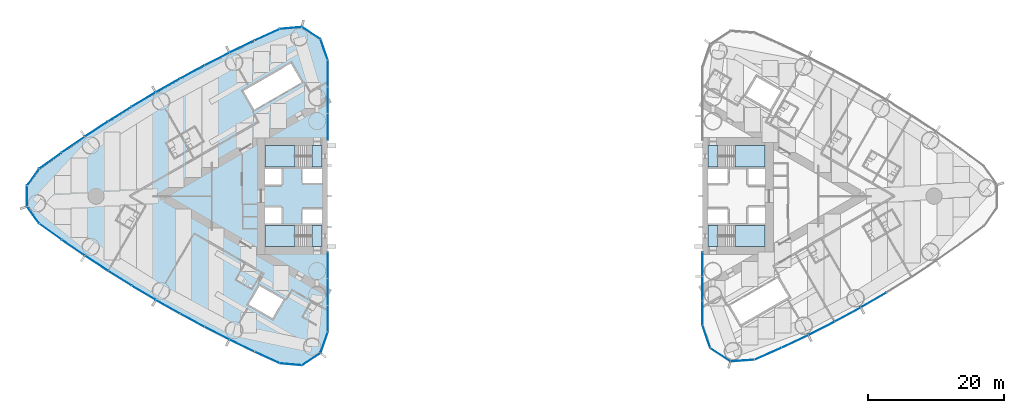
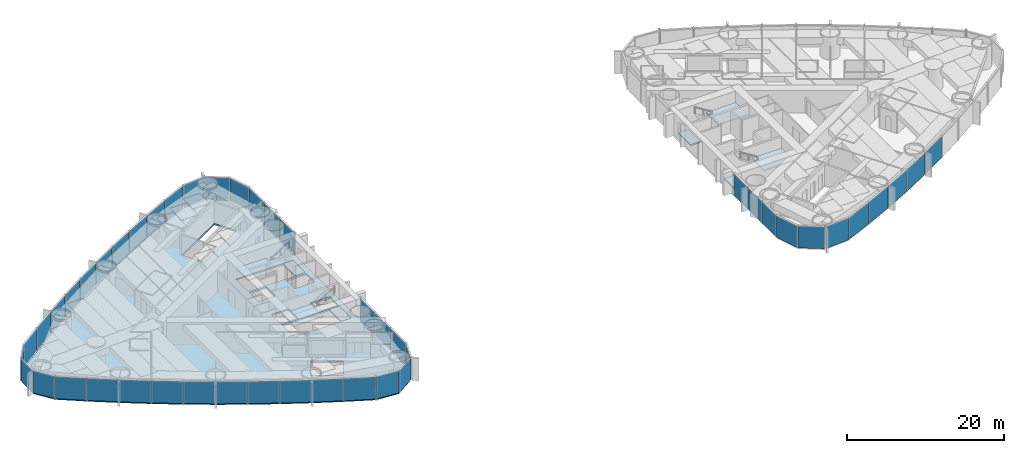
# One storey, part 9 of 18: 46 plates, 9 slabs, 6 elements without a shape of their own.
"""IFC4 building model written with IfcOpenShell, lengths in metres."""

from ifc_helpers import new_model, si_unit, direction, frame, origin, origin_2d, place, context, subcontext, project, spatial, polyline, rectangle, outline, extrude, material, layer, layer_set, type_object, element, aggregate, save


model = new_model("IFC4")

# Units and contexts
model_context = context("Model", 3, precision=1e-05, world=origin(), true_north=direction((0.0, 1.0)))
body_context = subcontext(model_context, "Body", "Model", "MODEL_VIEW")
ifc_project = project(units=[si_unit("LENGTHUNIT", "METRE"), si_unit("AREAUNIT", "SQUARE_METRE"), si_unit("VOLUMEUNIT", "CUBIC_METRE"), si_unit("PLANEANGLEUNIT", "RADIAN"), si_unit("MASSUNIT", "GRAM", prefix="KILO")], contexts=[model_context])

# Site, building, storey
site_placement = place(None, origin())
site = spatial("IfcSite", under=ifc_project, at=site_placement, CompositionType="ELEMENT")
building_placement = place(site_placement, origin())
building = spatial("IfcBuilding", under=site, at=building_placement, Name="Lancet Gate Hotel", CompositionType="ELEMENT")
storey_placement = place(building_placement, frame((0.0, 0.0, 118.60009765625)))
storey = spatial("IfcBuildingStorey", under=building, at=storey_placement, Name="L31", CompositionType="ELEMENT", Elevation=118.60009765625)

# Slab
ifc_material_1 = material(Name="Concrete C50/60", Category="concrete")
ifc_layer_1 = layer(ifc_material_1, 0.25)
ifc_layer_set_1 = layer_set([ifc_layer_1], Name="Floor slab 250")
slab_type_1 = type_object("IfcSlabType", Name="Floor slab 250", PredefinedType="FLOOR", material=ifc_layer_set_1)
slab_1_placement = place(storey_placement, frame((0.0, 0.0, -0.25)))
element("IfcSlab", 1, at=slab_1_placement, inside=storey, type_object=slab_type_1, Name="T1 L31 floor slab", PredefinedType="FLOOR", context=body_context, shape_type="SweptSolid", body=[
    extrude(outline(polyline([(-27.5, 8.60009765625), (-27.6201171875, 8.60009765625), (-27.6201171875, 19.950927734375), (-28.65966796875, 22.970947265625), (-31.320068359375, 24.69921875), (-34.5009765625, 24.421630859375), (-38.201416015625, 22.727783203125), (-41.8818359375, 20.946044921875), (-45.523193359375, 19.085693359375), (-49.12353515625, 17.147216796875), (-52.681396484375, 15.131591796875), (-56.195068359375, 13.0400390625), (-59.662841796875, 10.873291015625), (-63.0830078125, 8.63232421875), (-66.454345703125, 6.318115234375), (-69.76025390625, 3.94287109375), (-71.523193359375, 1.49755859375), (-71.523193359375, -1.49755859375), (-69.76025390625, -3.94287109375), (-66.454345703125, -6.318115234375), (-63.0830078125, -8.63232421875), (-59.662841796875, -10.873291015625), (-56.195068359375, -13.0400390625), (-52.681396484375, -15.131591796875), (-49.12353515625, -17.147216796875), (-45.523193359375, -19.085693359375), (-41.8818359375, -20.946044921875), (-38.201416015625, -22.727783203125), (-34.5009765625, -24.421630859375), (-31.320068359375, -24.69921875), (-28.65966796875, -22.970947265625), (-27.6201171875, -19.950927734375), (-27.6201171875, -8.60009765625), (-27.5, -8.60009765625), (-27.5, -8.199951171875), (-27.5, 8.199951171875), (-27.5, 8.60009765625)]), holes=[polyline([(-36.699951171875, 7.39990234375), (-36.699951171875, 4.300048828125), (-28.300048828125, 4.300048828125), (-28.300048828125, 7.39990234375), (-36.699951171875, 7.39990234375)]), polyline([(-28.300048828125, 4.0), (-31.199951171875, 4.0), (-31.199951171875, 1.89990234375), (-28.300048828125, 1.89990234375), (-28.300048828125, 4.0)]), polyline([(-34.25, 4.0), (-36.699951171875, 4.0), (-36.699951171875, 1.64990234375), (-34.25, 1.64990234375), (-34.25, 4.0)]), polyline([(-36.699951171875, -1.64990234375), (-36.699951171875, -4.0), (-34.25, -4.0), (-34.25, -1.64990234375), (-36.699951171875, -1.64990234375)]), polyline([(-28.300048828125, -1.89990234375), (-31.199951171875, -1.89990234375), (-31.199951171875, -4.0), (-28.300048828125, -4.0), (-28.300048828125, -1.89990234375)]), polyline([(-28.300048828125, -4.300048828125), (-36.699951171875, -4.300048828125), (-36.699951171875, -7.39990234375), (-28.300048828125, -7.39990234375), (-28.300048828125, -4.300048828125)]), polyline([(-31.2900390625, 16.73095703125), (-32.889892578125, 19.501953125), (-39.904052734375, 15.451904296875), (-38.303955078125, 12.680908203125), (-31.2900390625, 16.73095703125)]), polyline([(-33.97412109375, -15.180908203125), (-37.52490234375, -13.131103515625), (-39.125, -15.902099609375), (-35.573974609375, -17.951904296875), (-33.97412109375, -15.180908203125)])]), origin(), (0.0, 0.0, 1.0), 0.25),
])

# Stair, slabs
ifc_material_2 = material(Name="Exit stair 20 risers 1500")
stair_type = type_object("IfcStairType", Name="Exit stair 20 risers 1500", PredefinedType="HALF_TURN_STAIR", material=ifc_material_2)
stair_1_placement = place(storey_placement, origin())
stair_1 = element("IfcStair", 2, at=stair_1_placement, inside=storey, type_object=stair_type, Name="T1 stair 1 L31", PredefinedType="HALF_TURN_STAIR")
ifc_material_3 = material(Name="Concrete C40/50", Category="concrete")
ifc_layer_2 = layer(ifc_material_3, 0.199951171875)
ifc_layer_set_2 = layer_set([ifc_layer_2], Name="Stair landing 200")
slab_type_2 = type_object("IfcSlabType", Name="Stair landing 200", PredefinedType="LANDING", material=ifc_layer_set_2)
slab_2_placement = place(storey_placement, frame((0.0, 0.0, -0.2001953125)))
slab_2 = element("IfcSlab", 3, at=slab_2_placement, type_object=slab_type_2, Name="ST1 landing 1", PredefinedType="LANDING", context=body_context, shape_type="SweptSolid", body=[
    extrude(outline(polyline([(-28.300048828125, 7.39990234375), (-29.800048828125, 7.39990234375), (-29.800048828125, 4.300048828125), (-28.300048828125, 4.300048828125), (-28.300048828125, 7.39990234375)])), origin(), (0.0, 0.0, 1.0), 0.2001953125),
])
slab_3_placement = place(storey_placement, frame((0.0, 0.0, 1.5498046875)))
slab_3 = element("IfcSlab", 4, at=slab_3_placement, type_object=slab_type_2, Name="ST1 landing 2", PredefinedType="LANDING", context=body_context, shape_type="SweptSolid", body=[
    extrude(outline(polyline([(-32.320068359375, 7.39990234375), (-36.699951171875, 7.39990234375), (-36.699951171875, 4.300048828125), (-32.320068359375, 4.300048828125), (-32.320068359375, 7.39990234375)])), origin(), (0.0, 0.0, 1.0), 0.2001953125),
])
aggregate(stair_1, [slab_2, slab_3])

stair_2_placement = place(storey_placement, origin())
stair_2 = element("IfcStair", 5, at=stair_2_placement, inside=storey, type_object=stair_type, Name="T1 stair 2 L31", PredefinedType="HALF_TURN_STAIR")
slab_4_placement = place(storey_placement, frame((0.0, 0.0, -0.2001953125)))
slab_4 = element("IfcSlab", 6, at=slab_4_placement, type_object=slab_type_2, Name="ST2 landing 1", PredefinedType="LANDING", context=body_context, shape_type="SweptSolid", body=[
    extrude(outline(polyline([(-28.300048828125, -4.300048828125), (-29.800048828125, -4.300048828125), (-29.800048828125, -7.39990234375), (-28.300048828125, -7.39990234375), (-28.300048828125, -4.300048828125)])), origin(), (0.0, 0.0, 1.0), 0.2001953125),
])
slab_5_placement = place(storey_placement, frame((0.0, 0.0, 1.5498046875)))
slab_5 = element("IfcSlab", 7, at=slab_5_placement, type_object=slab_type_2, Name="ST2 landing 2", PredefinedType="LANDING", context=body_context, shape_type="SweptSolid", body=[
    extrude(outline(polyline([(-32.320068359375, -4.300048828125), (-36.699951171875, -4.300048828125), (-36.699951171875, -7.39990234375), (-32.320068359375, -7.39990234375), (-32.320068359375, -4.300048828125)])), origin(), (0.0, 0.0, 1.0), 0.2001953125),
])
aggregate(stair_2, [slab_4, slab_5])

stair_3_placement = place(storey_placement, origin())
stair_3 = element("IfcStair", 8, at=stair_3_placement, inside=storey, type_object=stair_type, Name="T2 stair 1 L31", PredefinedType="HALF_TURN_STAIR")
slab_6_placement = place(storey_placement, frame((0.0, 0.0, -0.2001953125)))
slab_6 = element("IfcSlab", 9, at=slab_6_placement, type_object=slab_type_2, Name="ST3 landing 1", PredefinedType="LANDING", context=body_context, shape_type="SweptSolid", body=[
    extrude(outline(polyline([(28.300048828125, -7.39990234375), (29.800048828125, -7.39990234375), (29.800048828125, -4.300048828125), (28.300048828125, -4.300048828125), (28.300048828125, -7.39990234375)])), origin(), (0.0, 0.0, 1.0), 0.2001953125),
])
slab_7_placement = place(storey_placement, frame((0.0, 0.0, 1.5498046875)))
slab_7 = element("IfcSlab", 10, at=slab_7_placement, type_object=slab_type_2, Name="ST3 landing 2", PredefinedType="LANDING", context=body_context, shape_type="SweptSolid", body=[
    extrude(outline(polyline([(32.320068359375, -7.39990234375), (36.699951171875, -7.39990234375), (36.699951171875, -4.300048828125), (32.320068359375, -4.300048828125), (32.320068359375, -7.39990234375)])), origin(), (0.0, 0.0, 1.0), 0.2001953125),
])
aggregate(stair_3, [slab_6, slab_7])

stair_4_placement = place(storey_placement, origin())
stair_4 = element("IfcStair", 11, at=stair_4_placement, inside=storey, type_object=stair_type, Name="T2 stair 2 L31", PredefinedType="HALF_TURN_STAIR")
slab_8_placement = place(storey_placement, frame((0.0, 0.0, -0.2001953125)))
slab_8 = element("IfcSlab", 12, at=slab_8_placement, type_object=slab_type_2, Name="ST4 landing 1", PredefinedType="LANDING", context=body_context, shape_type="SweptSolid", body=[
    extrude(outline(polyline([(28.300048828125, 4.300048828125), (29.800048828125, 4.300048828125), (29.800048828125, 7.39990234375), (28.300048828125, 7.39990234375), (28.300048828125, 4.300048828125)])), origin(), (0.0, 0.0, 1.0), 0.2001953125),
])
slab_9_placement = place(storey_placement, frame((0.0, 0.0, 1.5498046875)))
slab_9 = element("IfcSlab", 13, at=slab_9_placement, type_object=slab_type_2, Name="ST4 landing 2", PredefinedType="LANDING", context=body_context, shape_type="SweptSolid", body=[
    extrude(outline(polyline([(32.320068359375, 4.300048828125), (36.699951171875, 4.300048828125), (36.699951171875, 7.39990234375), (32.320068359375, 7.39990234375), (32.320068359375, 4.300048828125)])), origin(), (0.0, 0.0, 1.0), 0.2001953125),
])
aggregate(stair_4, [slab_8, slab_9])

# Curtain wall, plates
ifc_material_4 = material(Name="Aluminium curtain wall", Category="aluminium")
curtain_wall_type = type_object("IfcCurtainWallType", Name="Tower unitised curtain wall", PredefinedType="USERDEFINED", material=ifc_material_4)
curtain_wall_1_placement = place(storey_placement, origin())
curtain_wall_1 = element("IfcCurtainWall", 14, at=curtain_wall_1_placement, inside=storey, type_object=curtain_wall_type, Name="T1 L31 curtain wall 1", ObjectType="UNITISED CURTAIN WALL", PredefinedType="USERDEFINED")
ifc_material_5 = material(Name="Glass double glazed unit 8-16-6", Category="glass")
ifc_layer_3 = layer(ifc_material_5, 0.030029296875)
ifc_layer_set_3 = layer_set([ifc_layer_3], Name="Vision panel double glazed")
plate_type = type_object("IfcPlateType", Name="Vision panel double glazed", PredefinedType="CURTAIN_PANEL", material=ifc_layer_set_3)
plate_1_placement = place(storey_placement, frame((-27.5, 10.161865234375, -0.000244140625), z_axis=(0.0, 0.0, 1.0), x_axis=(0.0, 1.0, 0.0)))
plate_1 = element("IfcPlate", 15, at=plate_1_placement, type_object=plate_type, Name="T1 L31 curtain wall 1 panel 1", PredefinedType="CURTAIN_PANEL", context=body_context, shape_type="SweptSolid", body=[
    extrude(rectangle(XDim=3.858642578125, YDim=0.030029296875, at=origin_2d()), origin(), (0.0, 0.0, 1.0), 3.35009765625),
])
plate_2_placement = place(storey_placement, frame((-27.5, 14.08544921875, -0.000244140625), z_axis=(0.0, 0.0, 1.0), x_axis=(0.0, 1.0, 0.0)))
plate_2 = element("IfcPlate", 16, at=plate_2_placement, type_object=plate_type, Name="T1 L31 curtain wall 1 panel 2", PredefinedType="CURTAIN_PANEL", context=body_context, shape_type="SweptSolid", body=[
    extrude(rectangle(XDim=3.858642578125, YDim=0.030029296875, at=origin_2d()), origin(), (0.0, 0.0, 1.0), 3.35009765625),
])
plate_3_placement = place(storey_placement, frame((-27.5, 18.00927734375, -0.000244140625), z_axis=(0.0, 0.0, 1.0), x_axis=(0.0, 1.0, 0.0)))
plate_3 = element("IfcPlate", 17, at=plate_3_placement, type_object=plate_type, Name="T1 L31 curtain wall 1 panel 3", PredefinedType="CURTAIN_PANEL", context=body_context, shape_type="SweptSolid", body=[
    extrude(rectangle(XDim=3.858642578125, YDim=0.030029296875, at=origin_2d()), origin(), (0.0, 0.0, 1.0), 3.35009765625),
])
plate_4_placement = place(storey_placement, frame((-28.02978515625, 21.510009765625, -0.000244140625), z_axis=(0.0, 0.0, 1.0), x_axis=(-0.325515820766, 0.945536593914, 0.0)))
plate_4 = element("IfcPlate", 18, at=plate_4_placement, type_object=plate_type, Name="T1 L31 curtain wall 1 panel 4", PredefinedType="CURTAIN_PANEL", context=body_context, shape_type="SweptSolid", body=[
    extrude(rectangle(XDim=3.190185546875, YDim=0.030029296875, at=origin_2d()), origin(), (0.0, 0.0, 1.0), 3.35009765625),
])
plate_5_placement = place(storey_placement, frame((-29.924560546875, 23.935546875, -0.000244140625), z_axis=(0.0, 0.0, 1.0), x_axis=(-0.838580121261, 0.544778285385, 0.0)))
plate_5 = element("IfcPlate", 19, at=plate_5_placement, type_object=plate_type, Name="T1 L31 curtain wall 1 panel 5", PredefinedType="CURTAIN_PANEL", context=body_context, shape_type="SweptSolid", body=[
    extrude(rectangle(XDim=3.190185546875, YDim=0.030029296875, at=origin_2d()), origin(), (0.0, 0.0, 1.0), 3.35009765625),
])
plate_6_placement = place(storey_placement, frame((-32.91064453125, 24.680908203125, -0.000244140625), z_axis=(0.0, 0.0, 1.0), x_axis=(-0.996218779711, -0.086880049207, 0.0)))
plate_6 = element("IfcPlate", 20, at=plate_6_placement, type_object=plate_type, Name="T1 L31 curtain wall 1 panel 6", PredefinedType="CURTAIN_PANEL", context=body_context, shape_type="SweptSolid", body=[
    extrude(rectangle(XDim=3.190185546875, YDim=0.030029296875, at=origin_2d()), origin(), (0.0, 0.0, 1.0), 3.35009765625),
])
plate_7_placement = place(storey_placement, frame((-36.392333984375, 23.68798828125, -0.000244140625), z_axis=(0.0, 0.0, 1.0), x_axis=(-0.909252721243, -0.416244506166, 0.0)))
plate_7 = element("IfcPlate", 21, at=plate_7_placement, type_object=plate_type, Name="T1 L31 curtain wall 1 panel 7", PredefinedType="CURTAIN_PANEL", context=body_context, shape_type="SweptSolid", body=[
    extrude(rectangle(XDim=4.026611328125, YDim=0.030029296875, at=origin_2d()), origin(), (0.0, 0.0, 1.0), 3.35009765625),
])
plate_8_placement = place(storey_placement, frame((-40.093994140625, 21.945068359375, -0.000244140625), z_axis=(0.0, 0.0, 1.0), x_axis=(-0.900081672047, -0.435721222395, 0.0)))
plate_8 = element("IfcPlate", 22, at=plate_8_placement, type_object=plate_type, Name="T1 L31 curtain wall 1 panel 8", PredefinedType="CURTAIN_PANEL", context=body_context, shape_type="SweptSolid", body=[
    extrude(rectangle(XDim=4.026611328125, YDim=0.030029296875, at=origin_2d()), origin(), (0.0, 0.0, 1.0), 3.35009765625),
])
plate_9_placement = place(storey_placement, frame((-43.757080078125, 20.122802734375, -0.000244140625), z_axis=(0.0, 0.0, 1.0), x_axis=(-0.890493479451, -0.45499600334, 0.0)))
plate_9 = element("IfcPlate", 23, at=plate_9_placement, type_object=plate_type, Name="T1 L31 curtain wall 1 panel 9", PredefinedType="CURTAIN_PANEL", context=body_context, shape_type="SweptSolid", body=[
    extrude(rectangle(XDim=4.026611328125, YDim=0.030029296875, at=origin_2d()), origin(), (0.0, 0.0, 1.0), 3.35009765625),
])
plate_10_placement = place(storey_placement, frame((-47.380126953125, 18.221923828125, -0.000244140625), z_axis=(0.0, 0.0, 1.0), x_axis=(-0.880492587094, -0.474059916121, 0.0)))
plate_10 = element("IfcPlate", 24, at=plate_10_placement, type_object=plate_type, Name="T1 L31 curtain wall 1 panel 10", PredefinedType="CURTAIN_PANEL", context=body_context, shape_type="SweptSolid", body=[
    extrude(rectangle(XDim=4.026611328125, YDim=0.030029296875, at=origin_2d()), origin(), (0.0, 0.0, 1.0), 3.35009765625),
])
plate_11_placement = place(storey_placement, frame((-50.961669921875, 16.243896484375, -0.000244140625), z_axis=(0.0, 0.0, 1.0), x_axis=(-0.870083629903, -0.49290412554, 0.0)))
plate_11 = element("IfcPlate", 25, at=plate_11_placement, type_object=plate_type, Name="T1 L31 curtain wall 1 panel 11", PredefinedType="CURTAIN_PANEL", context=body_context, shape_type="SweptSolid", body=[
    extrude(rectangle(XDim=4.026611328125, YDim=0.030029296875, at=origin_2d()), origin(), (0.0, 0.0, 1.0), 3.35009765625),
])
plate_12_placement = place(storey_placement, frame((-54.49951171875, 14.18896484375, -0.000244140625), z_axis=(0.0, 0.0, 1.0), x_axis=(-0.859271431916, -0.511519898238, 0.0)))
plate_12 = element("IfcPlate", 26, at=plate_12_placement, type_object=plate_type, Name="T1 L31 curtain wall 1 panel 12", PredefinedType="CURTAIN_PANEL", context=body_context, shape_type="SweptSolid", body=[
    extrude(rectangle(XDim=4.026611328125, YDim=0.030029296875, at=origin_2d()), origin(), (0.0, 0.0, 1.0), 3.35009765625),
])
plate_13_placement = place(storey_placement, frame((-57.992431640625, 12.058349609375, -0.000244140625), z_axis=(0.0, 0.0, 1.0), x_axis=(-0.848061004052, -0.529898606722, 0.0)))
plate_13 = element("IfcPlate", 27, at=plate_13_placement, type_object=plate_type, Name="T1 L31 curtain wall 1 panel 13", PredefinedType="CURTAIN_PANEL", context=body_context, shape_type="SweptSolid", body=[
    extrude(rectangle(XDim=4.026611328125, YDim=0.030029296875, at=origin_2d()), origin(), (0.0, 0.0, 1.0), 3.35009765625),
])
plate_14_placement = place(storey_placement, frame((-61.438720703125, 9.85302734375, -0.000244140625), z_axis=(0.0, 0.0, 1.0), x_axis=(-0.836457541791, -0.54803173337, 0.0)))
plate_14 = element("IfcPlate", 28, at=plate_14_placement, type_object=plate_type, Name="T1 L31 curtain wall 1 panel 14", PredefinedType="CURTAIN_PANEL", context=body_context, shape_type="SweptSolid", body=[
    extrude(rectangle(XDim=4.026611328125, YDim=0.030029296875, at=origin_2d()), origin(), (0.0, 0.0, 1.0), 3.35009765625),
])
plate_15_placement = place(storey_placement, frame((-64.836669921875, 7.57421875, -0.000244140625), z_axis=(0.0, 0.0, 1.0), x_axis=(-0.824466422775, -0.565910874357, 0.0)))
plate_15 = element("IfcPlate", 29, at=plate_15_placement, type_object=plate_type, Name="T1 L31 curtain wall 1 panel 15", PredefinedType="CURTAIN_PANEL", context=body_context, shape_type="SweptSolid", body=[
    extrude(rectangle(XDim=4.026611328125, YDim=0.030029296875, at=origin_2d()), origin(), (0.0, 0.0, 1.0), 3.35009765625),
])
plate_16_placement = place(storey_placement, frame((-68.184814453125, 5.22265625, -0.000244140625), z_axis=(0.0, 0.0, 1.0), x_axis=(-0.812093204276, -0.583527743615, 0.0)))
plate_16 = element("IfcPlate", 30, at=plate_16_placement, type_object=plate_type, Name="T1 L31 curtain wall 1 panel 16", PredefinedType="CURTAIN_PANEL", context=body_context, shape_type="SweptSolid", body=[
    extrude(rectangle(XDim=4.026611328125, YDim=0.030029296875, at=origin_2d()), origin(), (0.0, 0.0, 1.0), 3.35009765625),
])
plate_17_placement = place(storey_placement, frame((-70.74462890625, 2.782470703125, -0.000244140625), z_axis=(0.0, 0.0, 1.0), x_axis=(-0.584808645706, -0.811171281486, 0.0)))
plate_17 = element("IfcPlate", 31, at=plate_17_placement, type_object=plate_type, Name="T1 L31 curtain wall 1 panel 17", PredefinedType="CURTAIN_PANEL", context=body_context, shape_type="SweptSolid", body=[
    extrude(rectangle(XDim=3.0078125, YDim=0.030029296875, at=origin_2d()), origin(), (0.0, 0.0, 1.0), 3.35009765625),
])
plate_18_placement = place(storey_placement, frame((-71.64306640625, 0.0, -0.000244140625), z_axis=(0.0, 0.0, 1.0), x_axis=(0.0, -1.0, 0.0)))
plate_18 = element("IfcPlate", 32, at=plate_18_placement, type_object=plate_type, Name="T1 L31 curtain wall 1 panel 18", PredefinedType="CURTAIN_PANEL", context=body_context, shape_type="SweptSolid", body=[
    extrude(rectangle(XDim=3.0078125, YDim=0.030029296875, at=origin_2d()), origin(), (0.0, 0.0, 1.0), 3.35009765625),
])
plate_19_placement = place(storey_placement, frame((-70.74462890625, -2.782470703125, -0.000244140625), z_axis=(0.0, 0.0, 1.0), x_axis=(0.584808645706, -0.811171281486, 0.0)))
plate_19 = element("IfcPlate", 33, at=plate_19_placement, type_object=plate_type, Name="T1 L31 curtain wall 1 panel 19", PredefinedType="CURTAIN_PANEL", context=body_context, shape_type="SweptSolid", body=[
    extrude(rectangle(XDim=3.0078125, YDim=0.030029296875, at=origin_2d()), origin(), (0.0, 0.0, 1.0), 3.35009765625),
])
plate_20_placement = place(storey_placement, frame((-68.184814453125, -5.22265625, -0.000244140625), z_axis=(0.0, 0.0, 1.0), x_axis=(0.812093204276, -0.583527743615, 0.0)))
plate_20 = element("IfcPlate", 34, at=plate_20_placement, type_object=plate_type, Name="T1 L31 curtain wall 1 panel 20", PredefinedType="CURTAIN_PANEL", context=body_context, shape_type="SweptSolid", body=[
    extrude(rectangle(XDim=4.026611328125, YDim=0.030029296875, at=origin_2d()), origin(), (0.0, 0.0, 1.0), 3.35009765625),
])
plate_21_placement = place(storey_placement, frame((-64.836669921875, -7.57421875, -0.000244140625), z_axis=(0.0, 0.0, 1.0), x_axis=(0.824466422775, -0.565910874357, 0.0)))
plate_21 = element("IfcPlate", 35, at=plate_21_placement, type_object=plate_type, Name="T1 L31 curtain wall 1 panel 21", PredefinedType="CURTAIN_PANEL", context=body_context, shape_type="SweptSolid", body=[
    extrude(rectangle(XDim=4.026611328125, YDim=0.030029296875, at=origin_2d()), origin(), (0.0, 0.0, 1.0), 3.35009765625),
])
plate_22_placement = place(storey_placement, frame((-61.438720703125, -9.85302734375, -0.000244140625), z_axis=(0.0, 0.0, 1.0), x_axis=(0.836457541791, -0.54803173337, 0.0)))
plate_22 = element("IfcPlate", 36, at=plate_22_placement, type_object=plate_type, Name="T1 L31 curtain wall 1 panel 22", PredefinedType="CURTAIN_PANEL", context=body_context, shape_type="SweptSolid", body=[
    extrude(rectangle(XDim=4.026611328125, YDim=0.030029296875, at=origin_2d()), origin(), (0.0, 0.0, 1.0), 3.35009765625),
])
plate_23_placement = place(storey_placement, frame((-57.992431640625, -12.058349609375, -0.000244140625), z_axis=(0.0, 0.0, 1.0), x_axis=(0.848061004052, -0.529898606722, 0.0)))
plate_23 = element("IfcPlate", 37, at=plate_23_placement, type_object=plate_type, Name="T1 L31 curtain wall 1 panel 23", PredefinedType="CURTAIN_PANEL", context=body_context, shape_type="SweptSolid", body=[
    extrude(rectangle(XDim=4.026611328125, YDim=0.030029296875, at=origin_2d()), origin(), (0.0, 0.0, 1.0), 3.35009765625),
])
plate_24_placement = place(storey_placement, frame((-54.49951171875, -14.18896484375, -0.000244140625), z_axis=(0.0, 0.0, 1.0), x_axis=(0.859271431916, -0.511519898238, 0.0)))
plate_24 = element("IfcPlate", 38, at=plate_24_placement, type_object=plate_type, Name="T1 L31 curtain wall 1 panel 24", PredefinedType="CURTAIN_PANEL", context=body_context, shape_type="SweptSolid", body=[
    extrude(rectangle(XDim=4.026611328125, YDim=0.030029296875, at=origin_2d()), origin(), (0.0, 0.0, 1.0), 3.35009765625),
])
plate_25_placement = place(storey_placement, frame((-50.961669921875, -16.243896484375, -0.000244140625), z_axis=(0.0, 0.0, 1.0), x_axis=(0.870083629903, -0.49290412554, 0.0)))
plate_25 = element("IfcPlate", 39, at=plate_25_placement, type_object=plate_type, Name="T1 L31 curtain wall 1 panel 25", PredefinedType="CURTAIN_PANEL", context=body_context, shape_type="SweptSolid", body=[
    extrude(rectangle(XDim=4.026611328125, YDim=0.030029296875, at=origin_2d()), origin(), (0.0, 0.0, 1.0), 3.35009765625),
])
plate_26_placement = place(storey_placement, frame((-47.380126953125, -18.221923828125, -0.000244140625), z_axis=(0.0, 0.0, 1.0), x_axis=(0.880492587094, -0.474059916121, 0.0)))
plate_26 = element("IfcPlate", 40, at=plate_26_placement, type_object=plate_type, Name="T1 L31 curtain wall 1 panel 26", PredefinedType="CURTAIN_PANEL", context=body_context, shape_type="SweptSolid", body=[
    extrude(rectangle(XDim=4.026611328125, YDim=0.030029296875, at=origin_2d()), origin(), (0.0, 0.0, 1.0), 3.35009765625),
])
plate_27_placement = place(storey_placement, frame((-43.757080078125, -20.122802734375, -0.000244140625), z_axis=(0.0, 0.0, 1.0), x_axis=(0.890493479451, -0.45499600334, 0.0)))
plate_27 = element("IfcPlate", 41, at=plate_27_placement, type_object=plate_type, Name="T1 L31 curtain wall 1 panel 27", PredefinedType="CURTAIN_PANEL", context=body_context, shape_type="SweptSolid", body=[
    extrude(rectangle(XDim=4.026611328125, YDim=0.030029296875, at=origin_2d()), origin(), (0.0, 0.0, 1.0), 3.35009765625),
])
plate_28_placement = place(storey_placement, frame((-40.093994140625, -21.945068359375, -0.000244140625), z_axis=(0.0, 0.0, 1.0), x_axis=(0.900081672047, -0.435721222395, 0.0)))
plate_28 = element("IfcPlate", 42, at=plate_28_placement, type_object=plate_type, Name="T1 L31 curtain wall 1 panel 28", PredefinedType="CURTAIN_PANEL", context=body_context, shape_type="SweptSolid", body=[
    extrude(rectangle(XDim=4.026611328125, YDim=0.030029296875, at=origin_2d()), origin(), (0.0, 0.0, 1.0), 3.35009765625),
])
plate_29_placement = place(storey_placement, frame((-36.392333984375, -23.68798828125, -0.000244140625), z_axis=(0.0, 0.0, 1.0), x_axis=(0.909252721243, -0.416244506166, 0.0)))
plate_29 = element("IfcPlate", 43, at=plate_29_placement, type_object=plate_type, Name="T1 L31 curtain wall 1 panel 29", PredefinedType="CURTAIN_PANEL", context=body_context, shape_type="SweptSolid", body=[
    extrude(rectangle(XDim=4.026611328125, YDim=0.030029296875, at=origin_2d()), origin(), (0.0, 0.0, 1.0), 3.35009765625),
])
plate_30_placement = place(storey_placement, frame((-32.91064453125, -24.680908203125, -0.000244140625), z_axis=(0.0, 0.0, 1.0), x_axis=(0.996218779711, -0.086880049207, 0.0)))
plate_30 = element("IfcPlate", 44, at=plate_30_placement, type_object=plate_type, Name="T1 L31 curtain wall 1 panel 30", PredefinedType="CURTAIN_PANEL", context=body_context, shape_type="SweptSolid", body=[
    extrude(rectangle(XDim=3.190185546875, YDim=0.030029296875, at=origin_2d()), origin(), (0.0, 0.0, 1.0), 3.35009765625),
])
plate_31_placement = place(storey_placement, frame((-29.924560546875, -23.935546875, -0.000244140625), z_axis=(0.0, 0.0, 1.0), x_axis=(0.838580121261, 0.544778285385, 0.0)))
plate_31 = element("IfcPlate", 45, at=plate_31_placement, type_object=plate_type, Name="T1 L31 curtain wall 1 panel 31", PredefinedType="CURTAIN_PANEL", context=body_context, shape_type="SweptSolid", body=[
    extrude(rectangle(XDim=3.190185546875, YDim=0.030029296875, at=origin_2d()), origin(), (0.0, 0.0, 1.0), 3.35009765625),
])
plate_32_placement = place(storey_placement, frame((-28.02978515625, -21.510009765625, -0.000244140625), z_axis=(0.0, 0.0, 1.0), x_axis=(0.325515820766, 0.945536593914, 0.0)))
plate_32 = element("IfcPlate", 46, at=plate_32_placement, type_object=plate_type, Name="T1 L31 curtain wall 1 panel 32", PredefinedType="CURTAIN_PANEL", context=body_context, shape_type="SweptSolid", body=[
    extrude(rectangle(XDim=3.190185546875, YDim=0.030029296875, at=origin_2d()), origin(), (0.0, 0.0, 1.0), 3.35009765625),
])
plate_33_placement = place(storey_placement, frame((-27.5, -18.00927734375, -0.000244140625), z_axis=(0.0, 0.0, 1.0), x_axis=(0.0, 1.0, 0.0)))
plate_33 = element("IfcPlate", 47, at=plate_33_placement, type_object=plate_type, Name="T1 L31 curtain wall 1 panel 33", PredefinedType="CURTAIN_PANEL", context=body_context, shape_type="SweptSolid", body=[
    extrude(rectangle(XDim=3.858642578125, YDim=0.030029296875, at=origin_2d()), origin(), (0.0, 0.0, 1.0), 3.35009765625),
])
plate_34_placement = place(storey_placement, frame((-27.5, -14.08544921875, -0.000244140625), z_axis=(0.0, 0.0, 1.0), x_axis=(0.0, 1.0, 0.0)))
plate_34 = element("IfcPlate", 48, at=plate_34_placement, type_object=plate_type, Name="T1 L31 curtain wall 1 panel 34", PredefinedType="CURTAIN_PANEL", context=body_context, shape_type="SweptSolid", body=[
    extrude(rectangle(XDim=3.858642578125, YDim=0.030029296875, at=origin_2d()), origin(), (0.0, 0.0, 1.0), 3.35009765625),
])
plate_35_placement = place(storey_placement, frame((-27.5, -10.161865234375, -0.000244140625), z_axis=(0.0, 0.0, 1.0), x_axis=(0.0, 1.0, 0.0)))
plate_35 = element("IfcPlate", 49, at=plate_35_placement, type_object=plate_type, Name="T1 L31 curtain wall 1 panel 35", PredefinedType="CURTAIN_PANEL", context=body_context, shape_type="SweptSolid", body=[
    extrude(rectangle(XDim=3.858642578125, YDim=0.030029296875, at=origin_2d()), origin(), (0.0, 0.0, 1.0), 3.35009765625),
])
aggregate(curtain_wall_1, [plate_1, plate_2, plate_3, plate_4, plate_5, plate_6, plate_7, plate_8, plate_9, plate_10, plate_11, plate_12, plate_13, plate_14, plate_15, plate_16, plate_17, plate_18, plate_19, plate_20, plate_21, plate_22, plate_23, plate_24, plate_25, plate_26, plate_27, plate_28, plate_29, plate_30, plate_31, plate_32, plate_33, plate_34, plate_35])

curtain_wall_2_placement = place(storey_placement, origin())
curtain_wall_2 = element("IfcCurtainWall", 50, at=curtain_wall_2_placement, inside=storey, type_object=curtain_wall_type, Name="T2 L31 curtain wall 1", ObjectType="UNITISED CURTAIN WALL", PredefinedType="USERDEFINED")
plate_36_placement = place(storey_placement, frame((27.5, -9.990478515625, -0.000244140625), z_axis=(0.0, 0.0, 1.0), x_axis=(0.0, -1.0, 0.0)))
plate_36 = element("IfcPlate", 51, at=plate_36_placement, type_object=plate_type, Name="T2 L31 curtain wall 1 panel 1", PredefinedType="CURTAIN_PANEL", context=body_context, shape_type="SweptSolid", body=[
    extrude(rectangle(XDim=3.515869140625, YDim=0.030029296875, at=origin_2d()), origin(), (0.0, 0.0, 1.0), 3.35009765625),
])
plate_37_placement = place(storey_placement, frame((27.5, -13.571533203125, -0.000244140625), z_axis=(0.0, 0.0, 1.0), x_axis=(0.0, -1.0, 0.0)))
plate_37 = element("IfcPlate", 52, at=plate_37_placement, type_object=plate_type, Name="T2 L31 curtain wall 1 panel 2", PredefinedType="CURTAIN_PANEL", context=body_context, shape_type="SweptSolid", body=[
    extrude(rectangle(XDim=3.515869140625, YDim=0.030029296875, at=origin_2d()), origin(), (0.0, 0.0, 1.0), 3.35009765625),
])
plate_38_placement = place(storey_placement, frame((27.5, -17.15234375, -0.000244140625), z_axis=(0.0, 0.0, 1.0), x_axis=(0.0, -1.0, 0.0)))
plate_38 = element("IfcPlate", 53, at=plate_38_placement, type_object=plate_type, Name="T2 L31 curtain wall 1 panel 3", PredefinedType="CURTAIN_PANEL", context=body_context, shape_type="SweptSolid", body=[
    extrude(rectangle(XDim=3.515869140625, YDim=0.030029296875, at=origin_2d()), origin(), (0.0, 0.0, 1.0), 3.35009765625),
])
plate_39_placement = place(storey_placement, frame((28.072265625, -20.622314453125, -0.000244140625), z_axis=(0.0, 0.0, 1.0), x_axis=(0.32257568891, -0.946543673015, 0.0)))
plate_39 = element("IfcPlate", 54, at=plate_39_placement, type_object=plate_type, Name="T2 L31 curtain wall 1 panel 4", PredefinedType="CURTAIN_PANEL", context=body_context, shape_type="SweptSolid", body=[
    extrude(rectangle(XDim=3.4833984375, YDim=0.030029296875, at=origin_2d()), origin(), (0.0, 0.0, 1.0), 3.35009765625),
])
plate_40_placement = place(storey_placement, frame((30.123291015625, -23.281982421875, -0.000244140625), z_axis=(0.0, 0.0, 1.0), x_axis=(0.833464516611, -0.552572981198, 0.0)))
plate_40 = element("IfcPlate", 55, at=plate_40_placement, type_object=plate_type, Name="T2 L31 curtain wall 1 panel 5", PredefinedType="CURTAIN_PANEL", context=body_context, shape_type="SweptSolid", body=[
    extrude(rectangle(XDim=3.4833984375, YDim=0.030029296875, at=origin_2d()), origin(), (0.0, 0.0, 1.0), 3.35009765625),
])
plate_41_placement = place(storey_placement, frame((33.37158203125, -24.1357421875, -0.000244140625), z_axis=(0.0, 0.0, 1.0), x_axis=(0.997448492935, 0.07138980278, 0.0)))
plate_41 = element("IfcPlate", 56, at=plate_41_placement, type_object=plate_type, Name="T2 L31 curtain wall 1 panel 6", PredefinedType="CURTAIN_PANEL", context=body_context, shape_type="SweptSolid", body=[
    extrude(rectangle(XDim=3.4833984375, YDim=0.030029296875, at=origin_2d()), origin(), (0.0, 0.0, 1.0), 3.35009765625),
])
plate_42_placement = place(storey_placement, frame((37.13134765625, -23.13427734375, -0.000244140625), z_axis=(0.0, 0.0, 1.0), x_axis=(0.915478658759, 0.40236653111, 0.0)))
plate_42 = element("IfcPlate", 57, at=plate_42_placement, type_object=plate_type, Name="T2 L31 curtain wall 1 panel 7", PredefinedType="CURTAIN_PANEL", context=body_context, shape_type="SweptSolid", body=[
    extrude(rectangle(XDim=4.2822265625, YDim=0.030029296875, at=origin_2d()), origin(), (0.0, 0.0, 1.0), 3.35009765625),
])
plate_43_placement = place(storey_placement, frame((41.08544921875, -21.3291015625, -0.000244140625), z_axis=(0.0, 0.0, 1.0), x_axis=(0.903683440096, 0.428201167789, 0.0)))
plate_43 = element("IfcPlate", 58, at=plate_43_placement, type_object=plate_type, Name="T2 L31 curtain wall 1 panel 8", PredefinedType="CURTAIN_PANEL", context=body_context, shape_type="SweptSolid", body=[
    extrude(rectangle(XDim=4.2822265625, YDim=0.030029296875, at=origin_2d()), origin(), (0.0, 0.0, 1.0), 3.35009765625),
])
plate_44_placement = place(storey_placement, frame((44.98681640625, -19.412109375, -0.000244140625), z_axis=(0.0, 0.0, 1.0), x_axis=(0.891159350462, 0.453690436403, 0.0)))
plate_44 = element("IfcPlate", 59, at=plate_44_placement, type_object=plate_type, Name="T2 L31 curtain wall 1 panel 9", PredefinedType="CURTAIN_PANEL", context=body_context, shape_type="SweptSolid", body=[
    extrude(rectangle(XDim=4.2822265625, YDim=0.030029296875, at=origin_2d()), origin(), (0.0, 0.0, 1.0), 3.35009765625),
])
plate_45_placement = place(storey_placement, frame((48.832275390625, -17.38525390625, -0.000244140625), z_axis=(0.0, 0.0, 1.0), x_axis=(0.877916491224, 0.478813778454, 0.0)))
plate_45 = element("IfcPlate", 60, at=plate_45_placement, type_object=plate_type, Name="T2 L31 curtain wall 1 panel 10", PredefinedType="CURTAIN_PANEL", context=body_context, shape_type="SweptSolid", body=[
    extrude(rectangle(XDim=4.2822265625, YDim=0.030029296875, at=origin_2d()), origin(), (0.0, 0.0, 1.0), 3.35009765625),
])
plate_46_placement = place(storey_placement, frame((52.618408203125, -15.249755859375, -0.000244140625), z_axis=(0.0, 0.0, 1.0), x_axis=(0.863965543499, 0.503550930538, 0.0)))
plate_46 = element("IfcPlate", 61, at=plate_46_placement, type_object=plate_type, Name="T2 L31 curtain wall 1 panel 11", PredefinedType="CURTAIN_PANEL", context=body_context, shape_type="SweptSolid", body=[
    extrude(rectangle(XDim=4.2822265625, YDim=0.030029296875, at=origin_2d()), origin(), (0.0, 0.0, 1.0), 3.35009765625),
])
aggregate(curtain_wall_2, [plate_36, plate_37, plate_38, plate_39, plate_40, plate_41, plate_42, plate_43, plate_44, plate_45, plate_46])

save(model, "model.ifc")
